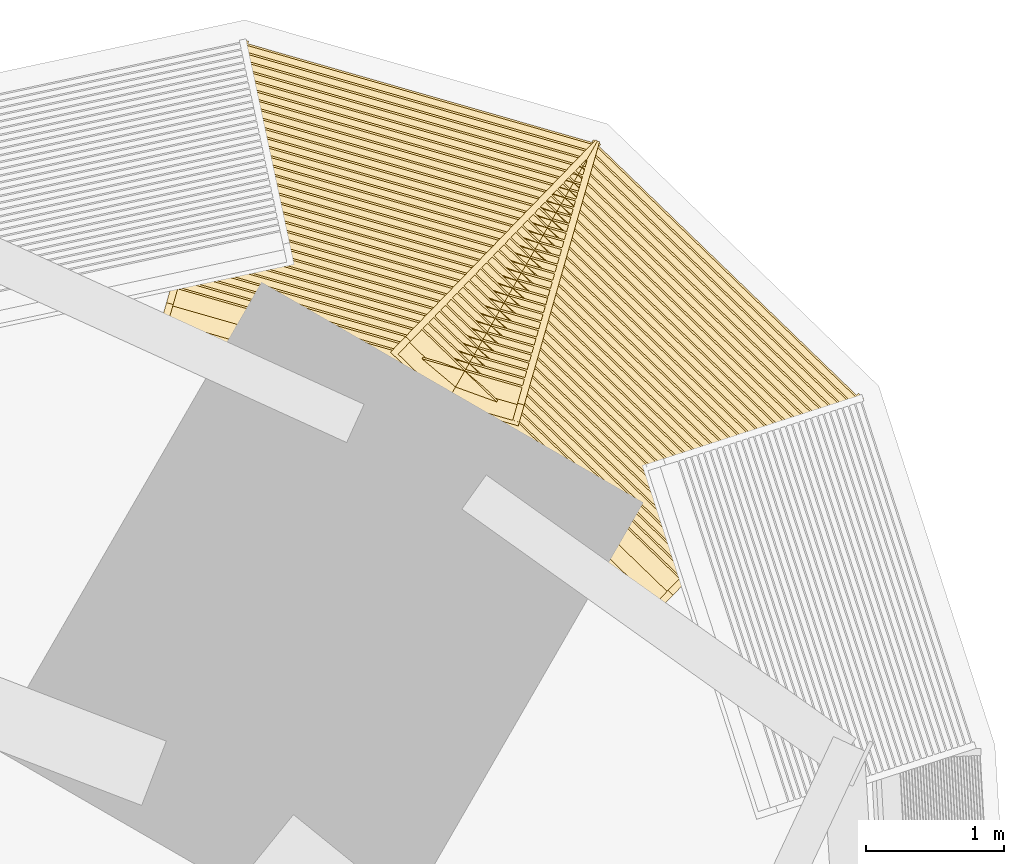
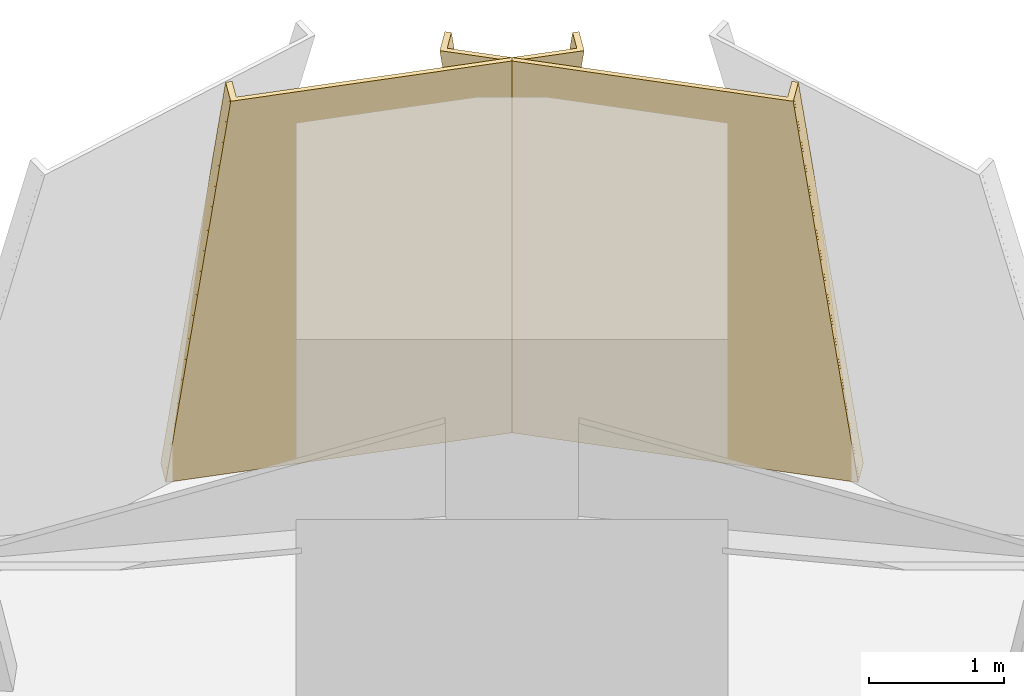
# One storey, part 17 of 17: 2 coverings.
"""IFC4 building model written with IfcOpenShell, lengths in metres."""

from ifc_helpers import new_model, si_unit, direction, frame, frame_2d, origin, place, context, subcontext, project, spatial, rectangle, extrude, source, transform, mapped, material, type_object, element, save


model = new_model("IFC4")

# Units and contexts
model_context = context("Model", 3, precision=1e-05, world=origin(), true_north=direction((0.0, 1.0)))
body_context = subcontext(model_context, "Body", "Model", "MODEL_VIEW")
ifc_project = project(units=[si_unit("LENGTHUNIT", "METRE"), si_unit("AREAUNIT", "SQUARE_METRE"), si_unit("VOLUMEUNIT", "CUBIC_METRE"), si_unit("PLANEANGLEUNIT", "RADIAN"), si_unit("MASSUNIT", "GRAM", prefix="KILO")], contexts=[model_context])

# Site, building, storey
site_placement = place(None, origin())
site = spatial("IfcSite", under=ifc_project, at=site_placement, CompositionType="ELEMENT")
building_placement = place(site_placement, origin())
building = spatial("IfcBuilding", under=site, at=building_placement, Name="Tamra Quay Hotel Tower", CompositionType="ELEMENT")
storey_placement = place(building_placement, frame((0.0, 0.0, 119.0)))
storey = spatial("IfcBuildingStorey", under=building, at=storey_placement, Name="L29", CompositionType="ELEMENT", Elevation=119.0)

# Coverings
ifc_material = material(Name="Terracotta louvre panel", Category="masonry")
covering_type = type_object("IfcCoveringType", Name="PLANT LOUVRE H5195", PredefinedType="USERDEFINED", material=ifc_material)
shared_shape = source(origin(), body_context, "Body", "SweptSolid", [
    extrude(rectangle(XDim=2.699951171875, YDim=0.030029296875, at=frame_2d((1.35009765625, 0.01513671875))), frame((-1.35009765625, -0.030029296875, 0.0)), (0.0, 0.0, 1.0), 5.195068359375),
    extrude(rectangle(XDim=0.050048828125, YDim=0.139892578125, at=frame_2d((0.02490234375, 0.06982421875))), frame((-1.35009765625, -0.169921875, 0.0)), (0.0, 0.0, 1.0), 5.195068359375),
    extrude(rectangle(XDim=0.050048828125, YDim=0.139892578125, at=frame_2d((0.02490234375, 0.06982421875))), frame((1.300048828125, -0.169921875, 0.0)), (0.0, 0.0, 1.0), 5.195068359375),
    extrude(rectangle(XDim=2.60009765625, YDim=0.139892578125, at=frame_2d((1.300048828125, 0.06982421875))), frame((-1.300048828125, -0.169921875, 0.050048828125)), (0.0, 0.0, 1.0), 0.034912109375),
    extrude(rectangle(XDim=2.60009765625, YDim=0.139892578125, at=frame_2d((1.300048828125, 0.06982421875))), frame((-1.300048828125, -0.169921875, 0.2099609375)), (0.0, 0.0, 1.0), 0.034912109375),
    extrude(rectangle(XDim=2.60009765625, YDim=0.139892578125, at=frame_2d((1.300048828125, 0.06982421875))), frame((-1.300048828125, -0.169921875, 0.3701171875)), (0.0, 0.0, 1.0), 0.034912109375),
    extrude(rectangle(XDim=2.60009765625, YDim=0.139892578125, at=frame_2d((1.300048828125, 0.06982421875))), frame((-1.300048828125, -0.169921875, 0.530029296875)), (0.0, 0.0, 1.0), 0.034912109375),
    extrude(rectangle(XDim=2.60009765625, YDim=0.139892578125, at=frame_2d((1.300048828125, 0.06982421875))), frame((-1.300048828125, -0.169921875, 0.68994140625)), (0.0, 0.0, 1.0), 0.034912109375),
    extrude(rectangle(XDim=2.60009765625, YDim=0.139892578125, at=frame_2d((1.300048828125, 0.06982421875))), frame((-1.300048828125, -0.169921875, 0.85009765625)), (0.0, 0.0, 1.0), 0.034912109375),
    extrude(rectangle(XDim=2.60009765625, YDim=0.139892578125, at=frame_2d((1.300048828125, 0.06982421875))), frame((-1.300048828125, -0.169921875, 1.010009765625)), (0.0, 0.0, 1.0), 0.034912109375),
    extrude(rectangle(XDim=2.60009765625, YDim=0.139892578125, at=frame_2d((1.300048828125, 0.06982421875))), frame((-1.300048828125, -0.169921875, 1.169921875)), (0.0, 0.0, 1.0), 0.034912109375),
    extrude(rectangle(XDim=2.60009765625, YDim=0.139892578125, at=frame_2d((1.300048828125, 0.06982421875))), frame((-1.300048828125, -0.169921875, 1.330078125)), (0.0, 0.0, 1.0), 0.034912109375),
    extrude(rectangle(XDim=2.60009765625, YDim=0.139892578125, at=frame_2d((1.300048828125, 0.06982421875))), frame((-1.300048828125, -0.169921875, 1.489990234375)), (0.0, 0.0, 1.0), 0.034912109375),
    extrude(rectangle(XDim=2.60009765625, YDim=0.139892578125, at=frame_2d((1.300048828125, 0.06982421875))), frame((-1.300048828125, -0.169921875, 1.64990234375)), (0.0, 0.0, 1.0), 0.034912109375),
    extrude(rectangle(XDim=2.60009765625, YDim=0.139892578125, at=frame_2d((1.300048828125, 0.06982421875))), frame((-1.300048828125, -0.169921875, 1.81005859375)), (0.0, 0.0, 1.0), 0.034912109375),
    extrude(rectangle(XDim=2.60009765625, YDim=0.139892578125, at=frame_2d((1.300048828125, 0.06982421875))), frame((-1.300048828125, -0.169921875, 1.969970703125)), (0.0, 0.0, 1.0), 0.034912109375),
    extrude(rectangle(XDim=2.60009765625, YDim=0.139892578125, at=frame_2d((1.300048828125, 0.06982421875))), frame((-1.300048828125, -0.169921875, 2.1298828125)), (0.0, 0.0, 1.0), 0.034912109375),
    extrude(rectangle(XDim=2.60009765625, YDim=0.139892578125, at=frame_2d((1.300048828125, 0.06982421875))), frame((-1.300048828125, -0.169921875, 2.2900390625)), (0.0, 0.0, 1.0), 0.034912109375),
    extrude(rectangle(XDim=2.60009765625, YDim=0.139892578125, at=frame_2d((1.300048828125, 0.06982421875))), frame((-1.300048828125, -0.169921875, 2.449951171875)), (0.0, 0.0, 1.0), 0.034912109375),
    extrude(rectangle(XDim=2.60009765625, YDim=0.139892578125, at=frame_2d((1.300048828125, 0.06982421875))), frame((-1.300048828125, -0.169921875, 2.610107421875)), (0.0, 0.0, 1.0), 0.034912109375),
    extrude(rectangle(XDim=2.60009765625, YDim=0.139892578125, at=frame_2d((1.300048828125, 0.06982421875))), frame((-1.300048828125, -0.169921875, 2.77001953125)), (0.0, 0.0, 1.0), 0.034912109375),
    extrude(rectangle(XDim=2.60009765625, YDim=0.139892578125, at=frame_2d((1.300048828125, 0.06982421875))), frame((-1.300048828125, -0.169921875, 2.929931640625)), (0.0, 0.0, 1.0), 0.034912109375),
    extrude(rectangle(XDim=2.60009765625, YDim=0.139892578125, at=frame_2d((1.300048828125, 0.06982421875))), frame((-1.300048828125, -0.169921875, 3.090087890625)), (0.0, 0.0, 1.0), 0.034912109375),
    extrude(rectangle(XDim=2.60009765625, YDim=0.139892578125, at=frame_2d((1.300048828125, 0.06982421875))), frame((-1.300048828125, -0.169921875, 3.25)), (0.0, 0.0, 1.0), 0.034912109375),
    extrude(rectangle(XDim=2.60009765625, YDim=0.139892578125, at=frame_2d((1.300048828125, 0.06982421875))), frame((-1.300048828125, -0.169921875, 3.409912109375)), (0.0, 0.0, 1.0), 0.034912109375),
    extrude(rectangle(XDim=2.60009765625, YDim=0.139892578125, at=frame_2d((1.300048828125, 0.06982421875))), frame((-1.300048828125, -0.169921875, 3.570068359375)), (0.0, 0.0, 1.0), 0.034912109375),
    extrude(rectangle(XDim=2.60009765625, YDim=0.139892578125, at=frame_2d((1.300048828125, 0.06982421875))), frame((-1.300048828125, -0.169921875, 3.72998046875)), (0.0, 0.0, 1.0), 0.034912109375),
    extrude(rectangle(XDim=2.60009765625, YDim=0.139892578125, at=frame_2d((1.300048828125, 0.06982421875))), frame((-1.300048828125, -0.169921875, 3.889892578125)), (0.0, 0.0, 1.0), 0.034912109375),
    extrude(rectangle(XDim=2.60009765625, YDim=0.139892578125, at=frame_2d((1.300048828125, 0.06982421875))), frame((-1.300048828125, -0.169921875, 4.050048828125)), (0.0, 0.0, 1.0), 0.034912109375),
    extrude(rectangle(XDim=2.60009765625, YDim=0.139892578125, at=frame_2d((1.300048828125, 0.06982421875))), frame((-1.300048828125, -0.169921875, 4.2099609375)), (0.0, 0.0, 1.0), 0.034912109375),
    extrude(rectangle(XDim=2.60009765625, YDim=0.139892578125, at=frame_2d((1.300048828125, 0.06982421875))), frame((-1.300048828125, -0.169921875, 4.3701171875)), (0.0, 0.0, 1.0), 0.034912109375),
    extrude(rectangle(XDim=2.60009765625, YDim=0.139892578125, at=frame_2d((1.300048828125, 0.06982421875))), frame((-1.300048828125, -0.169921875, 4.530029296875)), (0.0, 0.0, 1.0), 0.034912109375),
    extrude(rectangle(XDim=2.60009765625, YDim=0.139892578125, at=frame_2d((1.300048828125, 0.06982421875))), frame((-1.300048828125, -0.169921875, 4.68994140625)), (0.0, 0.0, 1.0), 0.034912109375),
    extrude(rectangle(XDim=2.60009765625, YDim=0.139892578125, at=frame_2d((1.300048828125, 0.06982421875))), frame((-1.300048828125, -0.169921875, 4.85009765625)), (0.0, 0.0, 1.0), 0.034912109375),
])
for number, where, z_axis, x_axis, name in (
    (1, (18.8095703125, 30.066650390625, 0.0), (-0.265952499765, -0.275165181801, 0.923879532511), (-0.71904127153, 0.694967373217, 0.0), "Plant louvre L29.E.c01"),
    (2, (16.633544921875, 31.322998046875, 0.0), (-0.105323787795, -0.367904211897, 0.923879532511), (-0.961380035772, 0.275224320906, 0.0), "Plant louvre L29.E.c02"),
):
    element("IfcCovering", number, at=place(storey_placement, frame(where, z_axis=z_axis, x_axis=x_axis)), inside=storey, type_object=covering_type, Name=name, ObjectType="LOUVER", PredefinedType="USERDEFINED", context=body_context, shape_type="MappedRepresentation", body=[
        mapped(shared_shape, transform((0.0, 0.0, 0.0), scale=1.0)),
    ])

save(model, "model.ifc")
